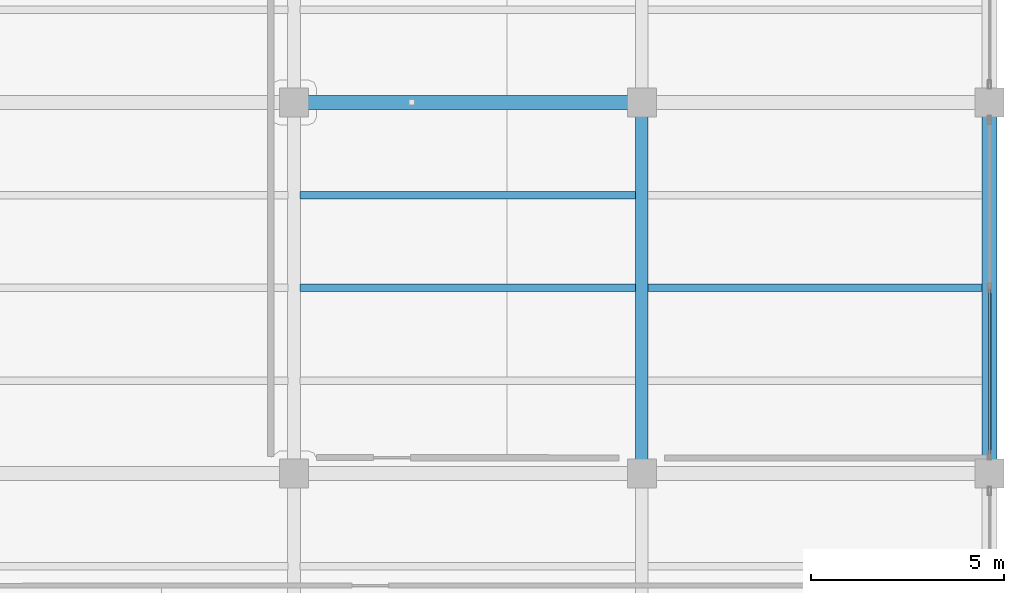
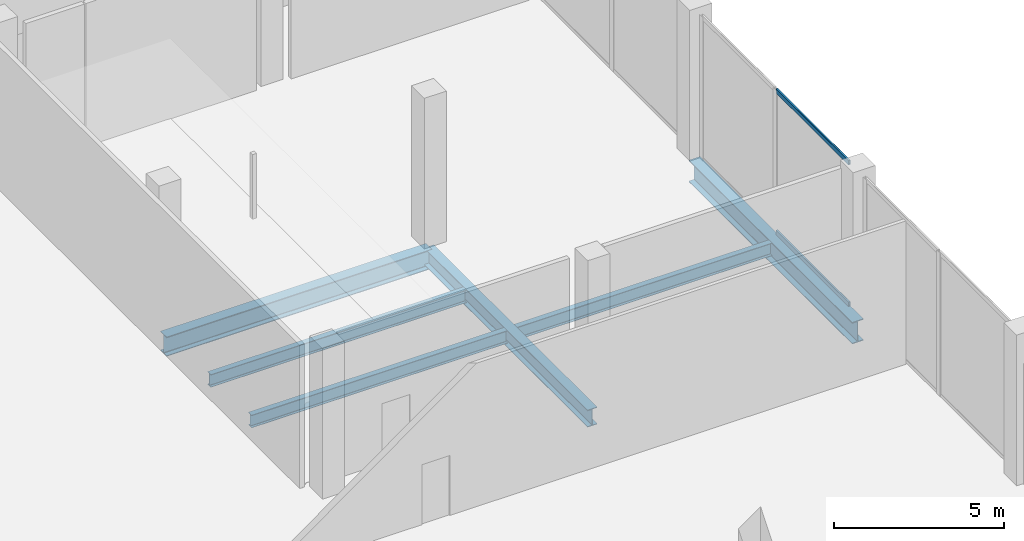
# One storey, part 17 of 47: 6 beams, 2 members, 1 element without a shape of its own.
"""IFC4 building model written with IfcOpenShell, lengths in metres."""

import ifcopenshell
import ifcopenshell.guid

model = None  # the IFC model being written
_history = None  # IfcOwnerHistory: only IFC2X3 demands one
_inside = {}  # id of a spatial element -> (the spatial element, [elements in it])
_under = {}  # id of a project, library or spatial element -> (it, [spatial elements below it])
_declared = {}  # id of a project -> (the project, [libraries it declares])
_typed = {}  # id of a type object -> (the type object, [elements of that type])
_made_of = {}  # id of a material, layer set ... -> (it, [elements and type objects made of it])


def new_model(schema):
    """Start an empty IFC model of exactly this schema.

    Asked for "IFC4X3", IfcOpenShell would pick the latest addendum, in which some entities
    have other attributes; the version numbers below select the first issue.
    IFC2X3 requires an IfcOwnerHistory on every rooted entity: one is made here for all.
    """
    global model, _history
    if schema == "IFC4X3":
        model = ifcopenshell.file(schema_version=(4, 3, 0, 0))
    else:
        model = ifcopenshell.file(schema=schema)
    _inside.clear()
    _under.clear()
    _declared.clear()
    _typed.clear()
    _made_of.clear()
    _history = None
    if model.schema == "IFC2X3":
        org = make("IfcOrganization", Name="unknown")
        user = make(
            "IfcPersonAndOrganization",
            ThePerson=make("IfcPerson", FamilyName="unknown"),
            TheOrganization=org,
        )
        app = make(
            "IfcApplication",
            ApplicationDeveloper=org,
            Version="unknown",
            ApplicationFullName="unknown",
            ApplicationIdentifier="unknown",
        )
        _history = make(
            "IfcOwnerHistory",
            OwningUser=user,
            OwningApplication=app,
            ChangeAction="ADDED",
            CreationDate=0,
        )
    return model


def make(cls, **values):
    """One entity of the class cls with the attributes given. An attribute that is None is left unset."""
    return model.create_entity(
        cls, **{name: value for name, value in values.items() if value is not None}
    )


def rooted(cls, **values):
    """An entity with a GlobalId (a new one), such as an element, a storey or a relation."""
    return make(cls, GlobalId=ifcopenshell.guid.new(), OwnerHistory=_history, **values)


def si_unit(unit_type, name, prefix=None):
    """IfcSIUnit, for example si_unit("LENGTHUNIT", "METRE", prefix="MILLI")."""
    return make("IfcSIUnit", UnitType=unit_type, Prefix=prefix, Name=name)


def assignment(units):
    """IfcUnitAssignment: the units of a project."""
    return None if units is None else make("IfcUnitAssignment", Units=units)


def point(xyz):
    """IfcCartesianPoint."""
    return None if xyz is None else make("IfcCartesianPoint", Coordinates=xyz)


def direction(xyz):
    """IfcDirection."""
    return None if xyz is None else make("IfcDirection", DirectionRatios=xyz)


def frame(location, z_axis=None, x_axis=None):
    """IfcAxis2Placement3D, a coordinate frame: its origin and axes. An axis left out is left unset."""
    return make(
        "IfcAxis2Placement3D",
        Location=point(location),
        Axis=direction(z_axis),
        RefDirection=direction(x_axis),
    )


def frame_2d(location, x_axis=None):
    """IfcAxis2Placement2D, a coordinate frame in the plane: its origin and x axis."""
    return make(
        "IfcAxis2Placement2D", Location=point(location), RefDirection=direction(x_axis)
    )


def origin():
    """The frame at (0, 0, 0) with its axes left unset."""
    return frame((0.0, 0.0, 0.0))


def origin_2d():
    """The frame at (0, 0) in the plane with its x axis left unset."""
    return frame_2d((0.0, 0.0))


def place(relative_to, where):
    """IfcLocalPlacement: puts the frame where relative to a parent placement (None: the world)."""
    return make(
        "IfcLocalPlacement", PlacementRelTo=relative_to, RelativePlacement=where
    )


def context(
    kind, dimensions, precision=None, world=None, true_north=None, identifier=None
):
    """IfcGeometricRepresentationContext, for example the 3D "Model" context."""
    return make(
        "IfcGeometricRepresentationContext",
        ContextIdentifier=identifier,
        ContextType=kind,
        CoordinateSpaceDimension=dimensions,
        Precision=precision,
        WorldCoordinateSystem=world,
        TrueNorth=true_north,
    )


def subcontext(parent, identifier, kind, view, scale=None):
    """IfcGeometricRepresentationSubContext, for example "Body" below "Model"."""
    return make(
        "IfcGeometricRepresentationSubContext",
        ContextIdentifier=identifier,
        ContextType=kind,
        ParentContext=parent,
        TargetScale=scale,
        TargetView=view,
    )


def project(units=None, contexts=None):
    """IfcProject with its units and contexts."""
    return rooted(
        "IfcProject",
        Name="project",
        RepresentationContexts=contexts,
        UnitsInContext=assignment(units),
    )


def spatial(cls, under=None, at=None, **own):
    """A site, building, storey or space (cls), placed at a placement, below another one or the project."""
    s = rooted(cls, ObjectPlacement=at, **own)
    if under is not None:
        _under.setdefault(under.id(), (under, []))[1].append(s)
    return s


def profile(cls, at=None, kind="AREA", **sizes):
    """A parametric profile (cls). Its sizes go by their IFC names, for example OverallWidth=200.0."""
    return make(cls, ProfileType=kind, Position=at, **sizes)


def hollow_rectangle(**sizes):
    """IfcRectangleHollowProfileDef."""
    return profile("IfcRectangleHollowProfileDef", **sizes)


def i_section(**sizes):
    """IfcIShapeProfileDef."""
    return profile("IfcIShapeProfileDef", **sizes)


def extrude(swept, where, along, depth):
    """IfcExtrudedAreaSolid: the profile swept, set in the frame where, extruded along a direction by depth."""
    return make(
        "IfcExtrudedAreaSolid",
        SweptArea=swept,
        Position=where,
        ExtrudedDirection=direction(along),
        Depth=depth,
    )


def shape(context_of_items, identifier, shape_type, items):
    """IfcShapeRepresentation: the items that make up one representation, for example the "Body"."""
    return make(
        "IfcShapeRepresentation",
        ContextOfItems=context_of_items,
        RepresentationIdentifier=identifier,
        RepresentationType=shape_type,
        Items=items,
    )


def material(Name=None, Category=None):
    """IfcMaterial."""
    return make("IfcMaterial", Name=Name, Category=Category)


def layer(
    of_material, thickness, ventilated=None, Name=None, Category=None, Priority=None
):
    """IfcMaterialLayer: one layer of a wall or slab, of a material (None: an air gap)."""
    return make(
        "IfcMaterialLayer",
        Material=of_material,
        LayerThickness=thickness,
        IsVentilated=ventilated,
        Name=Name,
        Category=Category,
        Priority=Priority,
    )


def layer_set(layers, Name=None):
    """IfcMaterialLayerSet."""
    return make("IfcMaterialLayerSet", MaterialLayers=layers, LayerSetName=Name)


def material_profile(
    of_material, cross_section, Name=None, Category=None, Priority=None
):
    """IfcMaterialProfile: a cross section and its material."""
    return make(
        "IfcMaterialProfile",
        Name=Name,
        Material=of_material,
        Profile=cross_section,
        Priority=Priority,
        Category=Category,
    )


def profile_set(profiles, Name=None, composite=None):
    """IfcMaterialProfileSet."""
    return make(
        "IfcMaterialProfileSet",
        Name=Name,
        MaterialProfiles=profiles,
        CompositeProfile=composite,
    )


def made_of(thing, what):
    """Note that an element or type object is made of a material, layer set ...; save() writes the relation."""
    if what is not None:
        _made_of.setdefault(what.id(), (what, []))[1].append(thing)
    return thing


def type_object(cls, material=None, **own):
    """A type object (cls), such as IfcWallType, which elements share."""
    return made_of(rooted(cls, **own), material)


def element(
    cls,
    number,
    at=None,
    inside=None,
    cuts=None,
    type_object=None,
    material=None,
    context=None,
    identifier="Body",
    shape_type=None,
    held_by="IfcProductDefinitionShape",
    body=None,
    shapes=None,
    **own,
):
    """One element of the class cls, such as IfcWall. Its Tag is "e" and its number.

    at: its placement. inside: the storey or other place that contains it. cuts: it is an
    opening in that element (IfcRelVoidsElement). A single representation is given by context,
    identifier, shape_type and body (its items); several are given by shapes. held_by: the class
    of the entity that holds the representations. save() writes the other relations.
    """
    e = rooted(cls, Tag="e%d" % number, ObjectPlacement=at, **own)
    if body is not None:
        shapes = [shape(context, identifier, shape_type, body)]
    if shapes is not None:
        e.Representation = make(held_by, Representations=shapes)
    if inside is not None:
        _inside.setdefault(inside.id(), (inside, []))[1].append(e)
    if cuts is not None:
        rooted(
            "IfcRelVoidsElement", RelatingBuildingElement=cuts, RelatedOpeningElement=e
        )
    if type_object is not None:
        _typed.setdefault(type_object.id(), (type_object, []))[1].append(e)
    return made_of(e, material)


def aggregate(whole, parts):
    """IfcRelAggregates: a whole, such as a stair, and the parts it consists of."""
    return rooted("IfcRelAggregates", RelatingObject=whole, RelatedObjects=parts)


def save(model, path):
    """Write the relations noted so far, then the file.

    IfcRelAggregates (storeys below a building ...), IfcRelContainedInSpatialStructure (elements
    in a storey), IfcRelDefinesByType, IfcRelAssociatesMaterial and IfcRelDeclares: one each for
    every whole, place, type object, material and project.
    """
    for whole, parts in _under.values():
        aggregate(whole, parts)
    for where, things in _inside.values():
        rooted(
            "IfcRelContainedInSpatialStructure",
            RelatedElements=things,
            RelatingStructure=where,
        )
    for kind, things in _typed.values():
        rooted("IfcRelDefinesByType", RelatedObjects=things, RelatingType=kind)
    for what, things in _made_of.values():
        rooted("IfcRelAssociatesMaterial", RelatedObjects=things, RelatingMaterial=what)
    for by, libraries in _declared.values():
        rooted("IfcRelDeclares", RelatingContext=by, RelatedDefinitions=libraries)
    model.write(path)


model = new_model("IFC4")

# Units and contexts
model_context = context("Model", 3, precision=1e-05, world=origin(), true_north=direction((0.0, 1.0)))
body_context = subcontext(model_context, "Body", "Model", "MODEL_VIEW")
ifc_project = project(units=[si_unit("LENGTHUNIT", "METRE"), si_unit("AREAUNIT", "SQUARE_METRE"), si_unit("VOLUMEUNIT", "CUBIC_METRE"), si_unit("PLANEANGLEUNIT", "RADIAN"), si_unit("MASSUNIT", "GRAM", prefix="KILO")], contexts=[model_context])

# Site, building, storey
site_placement = place(None, origin())
site = spatial("IfcSite", under=ifc_project, at=site_placement, CompositionType="ELEMENT")
building_placement = place(site_placement, origin())
building = spatial("IfcBuilding", under=site, at=building_placement, Name="Qorvath Tower", CompositionType="ELEMENT")
storey_placement = place(building_placement, frame((0.0, 0.0, 6.60009765625)))
storey = spatial("IfcBuildingStorey", under=building, at=storey_placement, Name="L01", CompositionType="ELEMENT", Elevation=6.60009765625)

# Beams
ifc_material_1 = material(Name="Steel ASTM A992 Grade 50", Category="steel")
ifc_material_profile_1 = material_profile(ifc_material_1, i_section(OverallWidth=0.381103515625, OverallDepth=0.77294921875, WebThickness=0.0166015625, FlangeThickness=0.027099609375, FilletRadius=0.01904296875, at=origin_2d()), Name="W30x173")
ifc_profile_set_1 = profile_set([ifc_material_profile_1], Name="Steel ASTM A992 Grade 50")
beam_type_1 = type_object("IfcBeamType", Name="BM-FG3", PredefinedType="BEAM", material=ifc_profile_set_1)
beam_1_placement = place(storey_placement, frame((77.39990234375, -9.60009765625, -0.646484375), z_axis=(0.0, 1.0, 0.0), x_axis=(-1.0, 0.0, 0.0)))
element("IfcBeam", 1, at=beam_1_placement, inside=storey, type_object=beam_type_1, Name="Library N-S Girder L01-6-4", PredefinedType="BEAM", context=body_context, shape_type="SweptSolid", body=[
    extrude(i_section(OverallWidth=0.381103515625, OverallDepth=0.77294921875, WebThickness=0.0166015625, FlangeThickness=0.027099609375, FilletRadius=0.01904296875, at=origin_2d()), origin(), (0.0, 0.0, 1.0), 9.60009765625),
])
ifc_material_2 = material(Name="Steel ASTM A992 Grade 50", Category="steel")
ifc_material_profile_2 = material_profile(ifc_material_2, i_section(OverallWidth=0.35595703125, OverallDepth=0.696044921875, WebThickness=0.015380859375, FlangeThickness=0.02490234375, FilletRadius=0.01806640625, at=origin_2d()), Name="W27x146")
ifc_profile_set_2 = profile_set([ifc_material_profile_2], Name="Steel ASTM A992 Grade 50")
beam_type_2 = type_object("IfcBeamType", Name="BM-FG4", PredefinedType="BEAM", material=ifc_profile_set_2)
beam_2_placement = place(storey_placement, frame((59.39990234375, 0.0, -0.60791015625), z_axis=(1.0, 0.0, 0.0), x_axis=(0.0, 1.0, 0.0)))
element("IfcBeam", 2, at=beam_2_placement, inside=storey, type_object=beam_type_2, Name="Library E-W Girder L01-5-4", PredefinedType="BEAM", context=body_context, shape_type="SweptSolid", body=[
    extrude(i_section(OverallWidth=0.35595703125, OverallDepth=0.696044921875, WebThickness=0.015380859375, FlangeThickness=0.02490234375, FilletRadius=0.01806640625, at=origin_2d()), origin(), (0.0, 0.0, 1.0), 9.0),
])
ifc_material_3 = material(Name="Steel ASTM A992 Grade 50", Category="steel")
ifc_material_profile_3 = material_profile(ifc_material_3, i_section(OverallWidth=0.324951171875, OverallDepth=0.615966796875, WebThickness=0.013916015625, FlangeThickness=0.021484375, FilletRadius=0.01611328125, at=origin_2d()), Name="W24x117")
ifc_profile_set_3 = profile_set([ifc_material_profile_3], Name="Steel ASTM A992 Grade 50")
beam_type_3 = type_object("IfcBeamType", Name="BM-FG5", PredefinedType="BEAM", material=ifc_profile_set_3)
beam_3_placement = place(storey_placement, frame((68.39990234375, -9.60009765625, -0.568115234375), z_axis=(0.0, 1.0, 0.0), x_axis=(-1.0, 0.0, 0.0)))
element("IfcBeam", 3, at=beam_3_placement, inside=storey, type_object=beam_type_3, Name="Library N-S Girder L01-5-4", PredefinedType="BEAM", context=body_context, shape_type="SweptSolid", body=[
    extrude(i_section(OverallWidth=0.324951171875, OverallDepth=0.615966796875, WebThickness=0.013916015625, FlangeThickness=0.021484375, FilletRadius=0.01611328125, at=origin_2d()), origin(), (0.0, 0.0, 1.0), 9.60009765625),
])
ifc_material_4 = material(Name="Steel ASTM A992 Grade 50", Category="steel")
ifc_material_profile_4 = material_profile(ifc_material_4, i_section(OverallWidth=0.18994140625, OverallDepth=0.45703125, WebThickness=0.009033203125, FlangeThickness=0.014404296875, FilletRadius=0.011962890625, at=origin_2d()), Name="W18x50")
ifc_profile_set_4 = profile_set([ifc_material_profile_4], Name="Steel ASTM A992 Grade 50")
beam_type_4 = type_object("IfcBeamType", Name="BM-FJ2", PredefinedType="JOIST", material=ifc_profile_set_4)
beam_4_placement = place(storey_placement, frame((59.560546875, -4.800048828125, -0.488525390625), z_axis=(1.0, 0.0, 0.0), x_axis=(0.0, 1.0, 0.0)))
element("IfcBeam", 4, at=beam_4_placement, inside=storey, type_object=beam_type_4, Name="Library Stack Joist L01-4.2-4", PredefinedType="JOIST", context=body_context, shape_type="SweptSolid", body=[
    extrude(i_section(OverallWidth=0.18994140625, OverallDepth=0.45703125, WebThickness=0.009033203125, FlangeThickness=0.014404296875, FilletRadius=0.011962890625, at=origin_2d()), origin(), (0.0, 0.0, 1.0), 8.678955078125),
])
beam_5_placement = place(storey_placement, frame((68.560546875, -4.800048828125, -0.488525390625), z_axis=(1.0, 0.0, 0.0), x_axis=(0.0, 1.0, 0.0)))
element("IfcBeam", 5, at=beam_5_placement, inside=storey, type_object=beam_type_4, Name="Library Stack Joist L01-4.2-5", PredefinedType="JOIST", context=body_context, shape_type="SweptSolid", body=[
    extrude(i_section(OverallWidth=0.18994140625, OverallDepth=0.45703125, WebThickness=0.009033203125, FlangeThickness=0.014404296875, FilletRadius=0.011962890625, at=origin_2d()), origin(), (0.0, 0.0, 1.0), 8.65087890625),
])
beam_6_placement = place(storey_placement, frame((59.560546875, -2.39990234375, -0.488525390625), z_axis=(1.0, 0.0, 0.0), x_axis=(0.0, 1.0, 0.0)))
element("IfcBeam", 6, at=beam_6_placement, inside=storey, type_object=beam_type_4, Name="Library Stack Joist L01-4.3-4", PredefinedType="JOIST", context=body_context, shape_type="SweptSolid", body=[
    extrude(i_section(OverallWidth=0.18994140625, OverallDepth=0.45703125, WebThickness=0.009033203125, FlangeThickness=0.014404296875, FilletRadius=0.011962890625, at=origin_2d()), origin(), (0.0, 0.0, 1.0), 8.678955078125),
])

# Curtain wall, members
ifc_material_5 = material(Name="Anodised aluminium and triple low-E glass", Category="aluminium")
ifc_layer = layer(ifc_material_5, 0.179931640625)
ifc_layer_set = layer_set([ifc_layer], Name="CW-SYS-6")
curtain_wall_type = type_object("IfcCurtainWallType", Name="CW-SYS-6", PredefinedType="NOTDEFINED", material=ifc_layer_set)
curtain_wall_placement = place(storey_placement, origin())
curtain_wall = element("IfcCurtainWall", 7, at=curtain_wall_placement, inside=storey, type_object=curtain_wall_type, Name="Curtain Wall CW-6 CW-LIB-E-L01-4", PredefinedType="NOTDEFINED")
ifc_material_6 = material(Name="Anodised aluminium 6063-T6", Category="aluminium")
ifc_material_profile_5 = material_profile(ifc_material_6, hollow_rectangle(XDim=0.06494140625, YDim=0.159912109375, WallThickness=0.00341796875, InnerFilletRadius=0.00341796875, OuterFilletRadius=0.007080078125, at=origin_2d()), Name="CWT 160x65")
ifc_profile_set_5 = profile_set([ifc_material_profile_5], Name="Anodised aluminium 6063-T6")
member_type = type_object("IfcMemberType", Name="CWT-160", PredefinedType="USERDEFINED", material=ifc_profile_set_5)
member_1_placement = place(storey_placement, frame((77.39990234375, -9.099853515625, 0.032470703125), z_axis=(0.0, 1.0, 0.0), x_axis=(-1.0, 0.0, 0.0)))
member_1 = element("IfcMember", 8, at=member_1_placement, type_object=member_type, Name="CW-6 transom 1.1", ObjectType="TRANSOM", PredefinedType="USERDEFINED", context=body_context, shape_type="SweptSolid", body=[
    extrude(hollow_rectangle(XDim=0.06494140625, YDim=0.159912109375, WallThickness=0.00341796875, InnerFilletRadius=0.00341796875, OuterFilletRadius=0.007080078125, at=origin_2d()), origin(), (0.0, 0.0, 1.0), 4.260009765625),
])
member_2_placement = place(storey_placement, frame((77.39990234375, -9.099853515625, 5.107421875), z_axis=(0.0, 1.0, 0.0), x_axis=(-1.0, 0.0, 0.0)))
member_2 = element("IfcMember", 9, at=member_2_placement, type_object=member_type, Name="CW-6 transom 1.2", ObjectType="TRANSOM", PredefinedType="USERDEFINED", context=body_context, shape_type="SweptSolid", body=[
    extrude(hollow_rectangle(XDim=0.06494140625, YDim=0.159912109375, WallThickness=0.00341796875, InnerFilletRadius=0.00341796875, OuterFilletRadius=0.007080078125, at=origin_2d()), origin(), (0.0, 0.0, 1.0), 4.260009765625),
])
aggregate(curtain_wall, [member_1, member_2])

save(model, "model.ifc")
